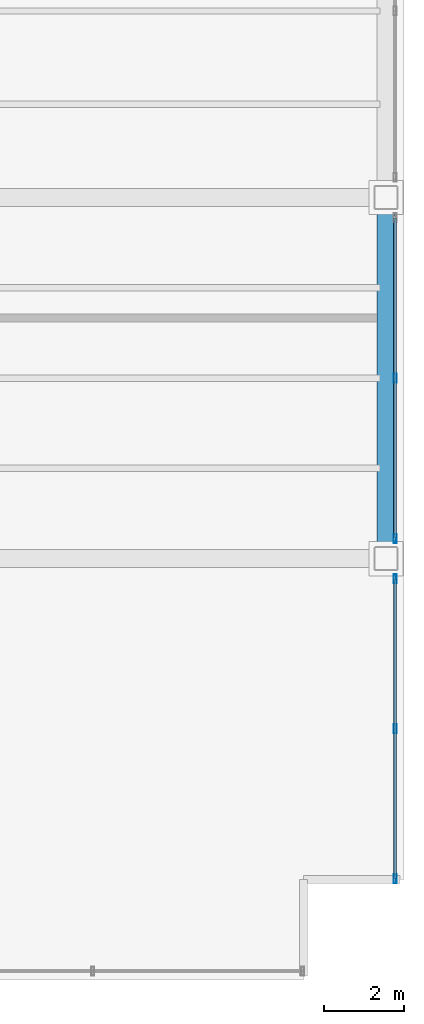
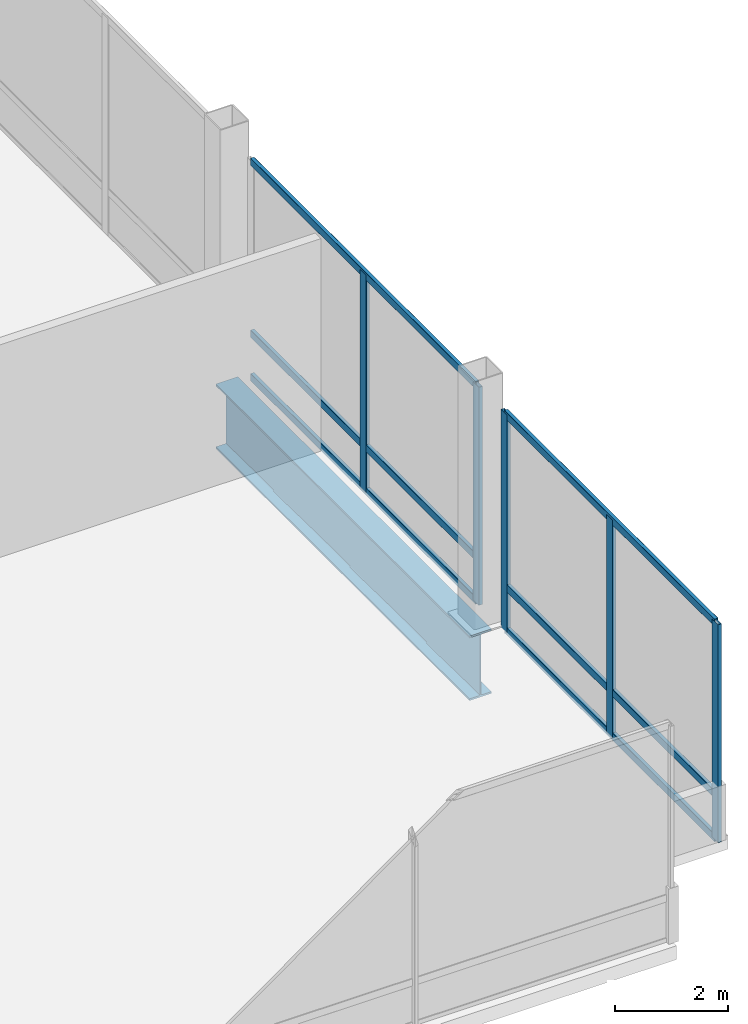
# One storey, part 14 of 20: 11 members, 1 beam, 2 elements without a shape of their own.
"""IFC4 building model written with IfcOpenShell, lengths in metres."""

from ifc_helpers import new_model, si_unit, direction, frame, origin, origin_2d, place, context, subcontext, project, spatial, hollow_rectangle, i_section, extrude, material, material_profile, profile_set, type_object, element, aggregate, save


model = new_model("IFC4")

# Units and contexts
model_context = context("Model", 3, precision=1e-05, world=origin(), true_north=direction((0.0, 1.0)))
body_context = subcontext(model_context, "Body", "Model", "MODEL_VIEW")
ifc_project = project(units=[si_unit("LENGTHUNIT", "METRE"), si_unit("AREAUNIT", "SQUARE_METRE"), si_unit("VOLUMEUNIT", "CUBIC_METRE"), si_unit("PLANEANGLEUNIT", "RADIAN"), si_unit("MASSUNIT", "GRAM", prefix="KILO")], contexts=[model_context])

# Site, building, storey
site_placement = place(None, origin())
site = spatial("IfcSite", under=ifc_project, at=site_placement, CompositionType="ELEMENT")
building_placement = place(site_placement, origin())
building = spatial("IfcBuilding", under=site, at=building_placement, Name="Noeulbin Bourse Tower", CompositionType="ELEMENT")
storey_placement = place(building_placement, frame((0.0, 0.0, 100.60009765625)))
storey = spatial("IfcBuildingStorey", under=building, at=storey_placement, Name="L25", CompositionType="ELEMENT", Elevation=100.60009765625)

# Beam
ifc_material_1 = material(Name="Steel S460", Category="steel")
ifc_material_profile_1 = material_profile(ifc_material_1, i_section(OverallWidth=0.449951171875, OverallDepth=1.39990234375, WebThickness=0.02392578125, FlangeThickness=0.0400390625, FilletRadius=0.02392578125, at=origin_2d()), Name="PG-1400x450x24x40", Category="LoadBearing")
ifc_profile_set_1 = profile_set([ifc_material_profile_1], Name="Steel S460")
beam_type = type_object("IfcBeamType", Name="BM-TRF-1400", PredefinedType="USERDEFINED", material=ifc_profile_set_1)
beam_placement = place(storey_placement, frame((57.050048828125, 20.0, -1.0), z_axis=(0.0, 1.0, 0.0), x_axis=(-1.0, 0.0, 0.0)))
element("IfcBeam", 1, at=beam_placement, inside=storey, type_object=beam_type, Name="East Spandrel L25-1", ObjectType="GIRDER", PredefinedType="USERDEFINED", context=body_context, shape_type="SweptSolid", body=[
    extrude(i_section(OverallWidth=0.449951171875, OverallDepth=1.39990234375, WebThickness=0.02392578125, FlangeThickness=0.0400390625, FilletRadius=0.02392578125, at=origin_2d()), origin(), (0.0, 0.0, 1.0), 9.0),
])

# Curtain wall, members
ifc_material_2 = material(Name="Translucent Ceramic-Fritted Glass", Category="glass")
curtain_wall_type = type_object("IfcCurtainWallType", Name="CW-SYS-5", PredefinedType="NOTDEFINED", material=ifc_material_2)
curtain_wall_1_placement = place(storey_placement, origin())
curtain_wall_1 = element("IfcCurtainWall", 2, at=curtain_wall_1_placement, inside=storey, type_object=curtain_wall_type, Name="Unitised Curtain Wall CW-L25-E-S1", PredefinedType="NOTDEFINED")
ifc_material_3 = material(Name="Anodised Aluminium 6063-T6", Category="aluminium")
ifc_material_profile_2 = material_profile(ifc_material_3, hollow_rectangle(XDim=0.074951171875, YDim=0.219970703125, WallThickness=0.0048828125, InnerFilletRadius=0.00244140625, OuterFilletRadius=0.0048828125, at=origin_2d()), Name="ALU-MULL-75x220x5", Category="LoadBearing")
ifc_profile_set_2 = profile_set([ifc_material_profile_2], Name="Anodised Aluminium 6063-T6")
member_type_1 = type_object("IfcMemberType", Name="CW-SYS-5-MUL", PredefinedType="MULLION", material=ifc_profile_set_2)
member_1_placement = place(storey_placement, frame((57.280029296875, 12.02001953125, -0.02001953125), z_axis=(0.0, 0.0, 1.0), x_axis=(1.0, 0.0, 0.0)))
member_1 = element("IfcMember", 3, at=member_1_placement, type_object=member_type_1, Name="Curtain Wall Mullion CW-L25-E-S1-M00", PredefinedType="MULLION", context=body_context, shape_type="SweptSolid", body=[
    extrude(hollow_rectangle(XDim=0.074951171875, YDim=0.219970703125, WallThickness=0.0048828125, InnerFilletRadius=0.00244140625, OuterFilletRadius=0.0048828125, at=origin_2d()), origin(), (0.0, 0.0, 1.0), 4.719970703125),
])
member_2_placement = place(storey_placement, frame((57.280029296875, 15.760009765625, -0.02001953125), z_axis=(0.0, 0.0, 1.0), x_axis=(1.0, 0.0, 0.0)))
member_2 = element("IfcMember", 4, at=member_2_placement, type_object=member_type_1, Name="Curtain Wall Mullion CW-L25-E-S1-M01", PredefinedType="MULLION", context=body_context, shape_type="SweptSolid", body=[
    extrude(hollow_rectangle(XDim=0.074951171875, YDim=0.219970703125, WallThickness=0.0048828125, InnerFilletRadius=0.00244140625, OuterFilletRadius=0.0048828125, at=origin_2d()), origin(), (0.0, 0.0, 1.0), 4.719970703125),
])
member_3_placement = place(storey_placement, frame((57.280029296875, 19.5, -0.02001953125), z_axis=(0.0, 0.0, 1.0), x_axis=(1.0, 0.0, 0.0)))
member_3 = element("IfcMember", 5, at=member_3_placement, type_object=member_type_1, Name="Curtain Wall Mullion CW-L25-E-S1-M02", PredefinedType="MULLION", context=body_context, shape_type="SweptSolid", body=[
    extrude(hollow_rectangle(XDim=0.074951171875, YDim=0.219970703125, WallThickness=0.0048828125, InnerFilletRadius=0.00244140625, OuterFilletRadius=0.0048828125, at=origin_2d()), origin(), (0.0, 0.0, 1.0), 4.719970703125),
])

curtain_wall_2_placement = place(storey_placement, origin())
curtain_wall_2 = element("IfcCurtainWall", 6, at=curtain_wall_2_placement, inside=storey, type_object=curtain_wall_type, Name="Unitised Curtain Wall CW-L25-E-S2", PredefinedType="NOTDEFINED")
member_4_placement = place(storey_placement, frame((57.280029296875, 20.5, -0.02001953125), z_axis=(0.0, 0.0, 1.0), x_axis=(1.0, 0.0, 0.0)))
member_4 = element("IfcMember", 7, at=member_4_placement, type_object=member_type_1, Name="Curtain Wall Mullion CW-L25-E-S2-M00", PredefinedType="MULLION", context=body_context, shape_type="SweptSolid", body=[
    extrude(hollow_rectangle(XDim=0.074951171875, YDim=0.219970703125, WallThickness=0.0048828125, InnerFilletRadius=0.00244140625, OuterFilletRadius=0.0048828125, at=origin_2d()), origin(), (0.0, 0.0, 1.0), 4.719970703125),
])
member_5_placement = place(storey_placement, frame((57.280029296875, 24.5, -0.02001953125), z_axis=(0.0, 0.0, 1.0), x_axis=(1.0, 0.0, 0.0)))
member_5 = element("IfcMember", 8, at=member_5_placement, type_object=member_type_1, Name="Curtain Wall Mullion CW-L25-E-S2-M01", PredefinedType="MULLION", context=body_context, shape_type="SweptSolid", body=[
    extrude(hollow_rectangle(XDim=0.074951171875, YDim=0.219970703125, WallThickness=0.0048828125, InnerFilletRadius=0.00244140625, OuterFilletRadius=0.0048828125, at=origin_2d()), origin(), (0.0, 0.0, 1.0), 4.719970703125),
])

# Member
ifc_material_profile_3 = material_profile(ifc_material_3, hollow_rectangle(XDim=0.074951171875, YDim=0.159912109375, WallThickness=0.0048828125, InnerFilletRadius=0.00244140625, OuterFilletRadius=0.0048828125, at=origin_2d()), Name="ALU-TRAN-75x160x5", Category="LoadBearing")
ifc_profile_set_3 = profile_set([ifc_material_profile_3], Name="Anodised Aluminium 6063-T6")
member_type_2 = type_object("IfcMemberType", Name="CW-SYS-5-TRN", PredefinedType="USERDEFINED", material=ifc_profile_set_3)
member_6_placement = place(storey_placement, frame((57.280029296875, 12.030029296875, 0.010009765625), z_axis=(0.0, 1.0, 0.0), x_axis=(-1.0, 0.0, 0.0)))
member_6 = element("IfcMember", 9, at=member_6_placement, type_object=member_type_2, Name="Curtain Wall Transom CW-L25-E-S1-T00", ObjectType="TRANSOM", PredefinedType="USERDEFINED", context=body_context, shape_type="SweptSolid", body=[
    extrude(hollow_rectangle(XDim=0.074951171875, YDim=0.159912109375, WallThickness=0.0048828125, InnerFilletRadius=0.00244140625, OuterFilletRadius=0.0048828125, at=origin_2d()), origin(), (0.0, 0.0, 1.0), 7.4599609375),
])

member_7_placement = place(storey_placement, frame((57.280029296875, 12.030029296875, 0.949951171875), z_axis=(0.0, 1.0, 0.0), x_axis=(-1.0, 0.0, 0.0)))
member_7 = element("IfcMember", 10, at=member_7_placement, type_object=member_type_2, Name="Curtain Wall Transom CW-L25-E-S1-T01", ObjectType="TRANSOM", PredefinedType="USERDEFINED", context=body_context, shape_type="SweptSolid", body=[
    extrude(hollow_rectangle(XDim=0.074951171875, YDim=0.159912109375, WallThickness=0.0048828125, InnerFilletRadius=0.00244140625, OuterFilletRadius=0.0048828125, at=origin_2d()), origin(), (0.0, 0.0, 1.0), 7.4599609375),
])

member_8_placement = place(storey_placement, frame((57.280029296875, 12.030029296875, 4.669921875), z_axis=(0.0, 1.0, 0.0), x_axis=(-1.0, 0.0, 0.0)))
member_8 = element("IfcMember", 11, at=member_8_placement, type_object=member_type_2, Name="Curtain Wall Transom CW-L25-E-S1-T02", ObjectType="TRANSOM", PredefinedType="USERDEFINED", context=body_context, shape_type="SweptSolid", body=[
    extrude(hollow_rectangle(XDim=0.074951171875, YDim=0.159912109375, WallThickness=0.0048828125, InnerFilletRadius=0.00244140625, OuterFilletRadius=0.0048828125, at=origin_2d()), origin(), (0.0, 0.0, 1.0), 7.4599609375),
])

aggregate(curtain_wall_1, [member_1, member_2, member_3, member_6, member_7, member_8])

member_9_placement = place(storey_placement, frame((57.280029296875, 20.510009765625, 0.010009765625), z_axis=(0.0, 1.0, 0.0), x_axis=(-1.0, 0.0, 0.0)))
member_9 = element("IfcMember", 12, at=member_9_placement, type_object=member_type_2, Name="Curtain Wall Transom CW-L25-E-S2-T00", ObjectType="TRANSOM", PredefinedType="USERDEFINED", context=body_context, shape_type="SweptSolid", body=[
    extrude(hollow_rectangle(XDim=0.074951171875, YDim=0.159912109375, WallThickness=0.0048828125, InnerFilletRadius=0.00244140625, OuterFilletRadius=0.0048828125, at=origin_2d()), origin(), (0.0, 0.0, 1.0), 7.97998046875),
])

member_10_placement = place(storey_placement, frame((57.280029296875, 20.510009765625, 0.949951171875), z_axis=(0.0, 1.0, 0.0), x_axis=(-1.0, 0.0, 0.0)))
member_10 = element("IfcMember", 13, at=member_10_placement, type_object=member_type_2, Name="Curtain Wall Transom CW-L25-E-S2-T01", ObjectType="TRANSOM", PredefinedType="USERDEFINED", context=body_context, shape_type="SweptSolid", body=[
    extrude(hollow_rectangle(XDim=0.074951171875, YDim=0.159912109375, WallThickness=0.0048828125, InnerFilletRadius=0.00244140625, OuterFilletRadius=0.0048828125, at=origin_2d()), origin(), (0.0, 0.0, 1.0), 7.97998046875),
])

member_11_placement = place(storey_placement, frame((57.280029296875, 20.510009765625, 4.669921875), z_axis=(0.0, 1.0, 0.0), x_axis=(-1.0, 0.0, 0.0)))
member_11 = element("IfcMember", 14, at=member_11_placement, type_object=member_type_2, Name="Curtain Wall Transom CW-L25-E-S2-T02", ObjectType="TRANSOM", PredefinedType="USERDEFINED", context=body_context, shape_type="SweptSolid", body=[
    extrude(hollow_rectangle(XDim=0.074951171875, YDim=0.159912109375, WallThickness=0.0048828125, InnerFilletRadius=0.00244140625, OuterFilletRadius=0.0048828125, at=origin_2d()), origin(), (0.0, 0.0, 1.0), 7.97998046875),
])

aggregate(curtain_wall_2, [member_4, member_5, member_9, member_10, member_11])

save(model, "model.ifc")
